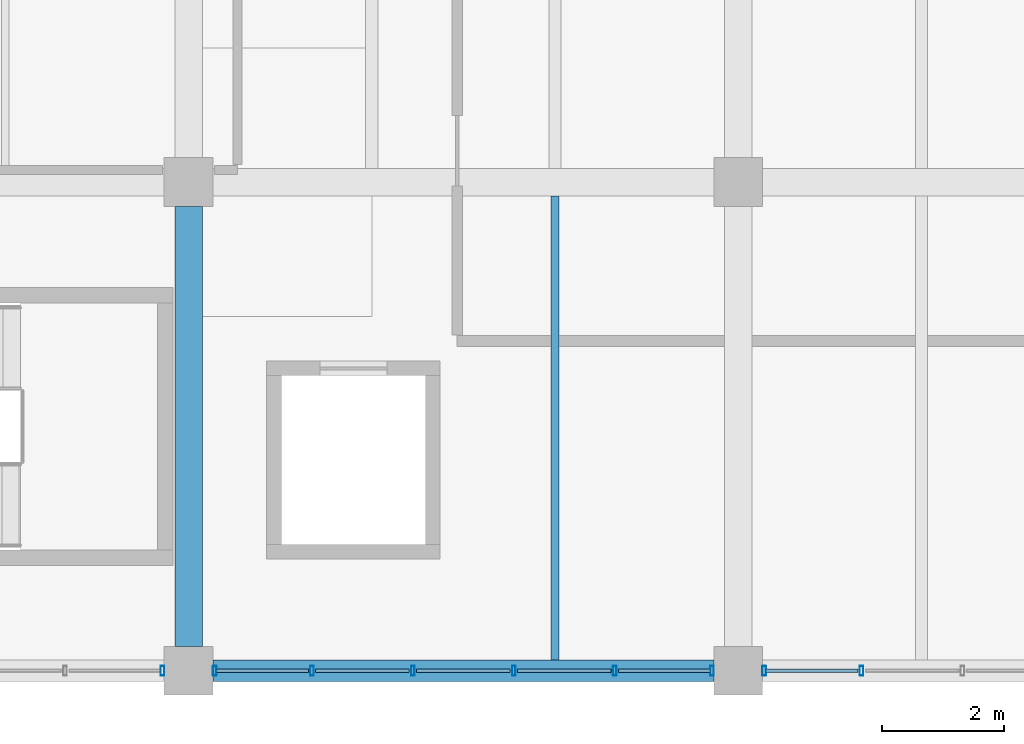
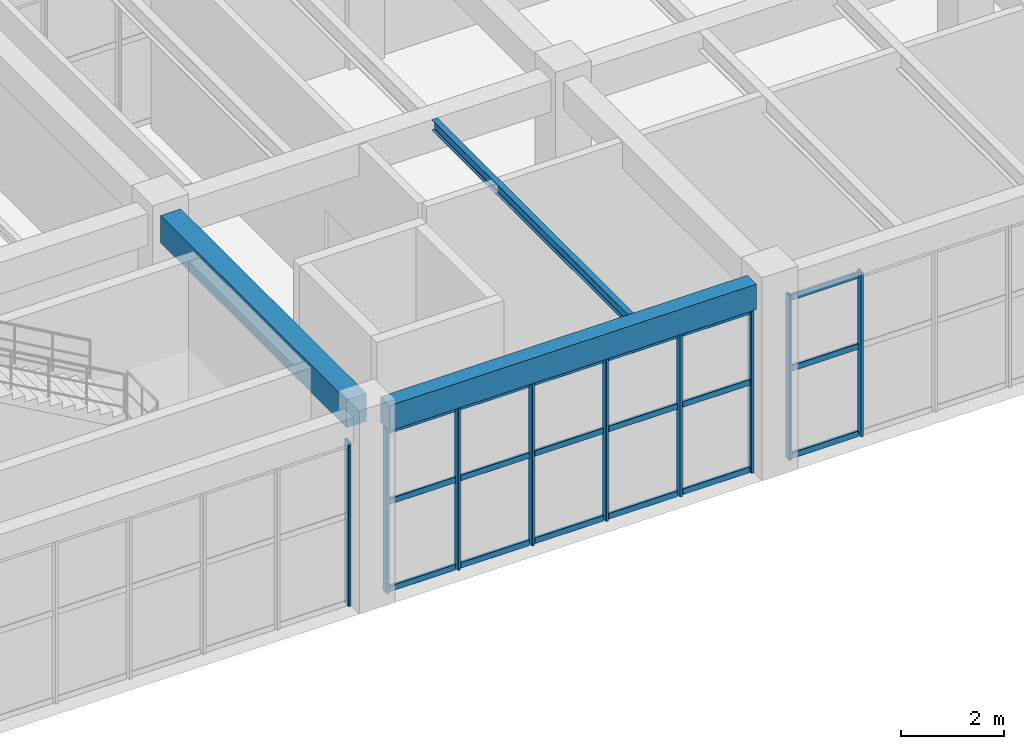
# One storey, part 15 of 178: 27 members, 3 beams, 3 elements without a shape of their own.
"""IFC4 building model written with IfcOpenShell, lengths in metres."""

from ifc_helpers import new_model, si_unit, derived_unit, direction, frame, origin, origin_2d, place, context, subcontext, project, spatial, rectangle, hollow_rectangle, i_section, extrude, material, material_profile, profile_set, type_object, element, aggregate, save


model = new_model("IFC4")

# Units and contexts
model_context = context("Model", 3, precision=1e-05, world=origin(), true_north=direction((0.0, 1.0)))
body_context = subcontext(model_context, "Body", "Model", "MODEL_VIEW")
ifc_project = project(units=[si_unit("LENGTHUNIT", "METRE"), si_unit("AREAUNIT", "SQUARE_METRE"), si_unit("VOLUMEUNIT", "CUBIC_METRE"), si_unit("PLANEANGLEUNIT", "RADIAN"), si_unit("MASSUNIT", "GRAM", prefix="KILO"), derived_unit("THERMALTRANSMITTANCEUNIT", [(si_unit("MASSUNIT", "GRAM", prefix="KILO"), 1), (si_unit("TIMEUNIT", "SECOND"), -3), (si_unit("THERMODYNAMICTEMPERATUREUNIT", "KELVIN"), -1)])], contexts=[model_context])

# Site, building, storey
site_placement = place(None, origin())
site = spatial("IfcSite", under=ifc_project, at=site_placement, CompositionType="ELEMENT")
building_placement = place(site_placement, origin())
building = spatial("IfcBuilding", under=site, at=building_placement, Name="Zhenchuan Archway Interchange", CompositionType="ELEMENT")
storey_placement = place(building_placement, frame((0.0, 0.0, 5.39990234375)))
storey = spatial("IfcBuildingStorey", under=building, at=storey_placement, Name="L01", CompositionType="ELEMENT", Elevation=5.39990234375)

# Beam
ifc_material_1 = material(Name="Concrete C40", Category="concrete")
ifc_material_profile_1 = material_profile(ifc_material_1, rectangle(XDim=0.449951171875, YDim=0.64990234375, at=origin_2d()), Name="RC 450x650")
ifc_profile_set_1 = profile_set([ifc_material_profile_1], Name="Concrete C40")
beam_type_1 = type_object("IfcBeamType", Name="BM_RC_450x650", PredefinedType="BEAM", material=ifc_profile_set_1)
beam_1_placement = place(storey_placement, frame((18.0, 0.39990234375, 4.18505859375), z_axis=(0.0, 1.0, 0.0), x_axis=(-1.0, 0.0, 0.0)))
element("IfcBeam", 1, at=beam_1_placement, inside=storey, type_object=beam_type_1, Name="Beam 3:A-B (L01)", PredefinedType="BEAM", context=body_context, shape_type="SweptSolid", body=[
    extrude(rectangle(XDim=0.449951171875, YDim=0.64990234375, at=origin_2d()), origin(), (0.0, 0.0, 1.0), 7.2001953125),
])

# Curtain wall, members
ifc_material_2 = material(Name="Anodised Aluminium", Category="aluminium")
curtain_wall_type_1 = type_object("IfcCurtainWallType", Name="CW_UNIT_4", PredefinedType="NOTDEFINED", material=ifc_material_2)
curtain_wall_1_placement = place(storey_placement, origin())
curtain_wall_1 = element("IfcCurtainWall", 2, at=curtain_wall_1_placement, inside=storey, type_object=curtain_wall_type_1, Name="Unitised curtain wall CW:L01:083", PredefinedType="NOTDEFINED")
ifc_material_profile_2 = material_profile(ifc_material_2, hollow_rectangle(XDim=0.06005859375, YDim=0.159912109375, WallThickness=0.00390625, InnerFilletRadius=0.00390625, OuterFilletRadius=0.008056640625, at=origin_2d()), Name="ALU 160x60x4")
ifc_profile_set_2 = profile_set([ifc_material_profile_2], Name="Anodised Aluminium")
member_type_1 = type_object("IfcMemberType", Name="CW_MUL_150", PredefinedType="MULLION", material=ifc_profile_set_2)
member_1_placement = place(storey_placement, frame((29.020751953125, 0.0, 0.0), z_axis=(0.0, 0.0, 1.0), x_axis=(1.0, 0.0, 0.0)))
member_1 = element("IfcMember", 3, at=member_1_placement, type_object=member_type_1, Name="CW:L01:083 mullion 4", PredefinedType="MULLION", context=body_context, shape_type="SweptSolid", body=[
    extrude(hollow_rectangle(XDim=0.06005859375, YDim=0.159912109375, WallThickness=0.00390625, InnerFilletRadius=0.00390625, OuterFilletRadius=0.008056640625, at=origin_2d()), origin(), (0.0, 0.0, 1.0), 3.880126953125),
])
member_2_placement = place(storey_placement, frame((27.427978515625, 0.0, 0.0), z_axis=(0.0, 0.0, 1.0), x_axis=(1.0, 0.0, 0.0)))
member_2 = element("IfcMember", 4, at=member_2_placement, type_object=member_type_1, Name="CW:L01:083 mullion 5", PredefinedType="MULLION", context=body_context, shape_type="SweptSolid", body=[
    extrude(hollow_rectangle(XDim=0.06005859375, YDim=0.159912109375, WallThickness=0.00390625, InnerFilletRadius=0.00390625, OuterFilletRadius=0.008056640625, at=origin_2d()), origin(), (0.0, 0.0, 1.0), 3.880126953125),
])

curtain_wall_type_2 = type_object("IfcCurtainWallType", Name="CW_UNIT_1", PredefinedType="NOTDEFINED", material=ifc_material_2)
curtain_wall_2_placement = place(storey_placement, origin())
curtain_wall_2 = element("IfcCurtainWall", 5, at=curtain_wall_2_placement, inside=storey, type_object=curtain_wall_type_2, Name="Unitised curtain wall CW:L01:084", PredefinedType="NOTDEFINED")
member_3_placement = place(storey_placement, frame((26.572021484375, 0.0, 0.0), z_axis=(0.0, 0.0, 1.0), x_axis=(1.0, 0.0, 0.0)))
member_3 = element("IfcMember", 6, at=member_3_placement, type_object=member_type_1, Name="CW:L01:084 mullion 0", PredefinedType="MULLION", context=body_context, shape_type="SweptSolid", body=[
    extrude(hollow_rectangle(XDim=0.06005859375, YDim=0.159912109375, WallThickness=0.00390625, InnerFilletRadius=0.00390625, OuterFilletRadius=0.008056640625, at=origin_2d()), origin(), (0.0, 0.0, 1.0), 3.880126953125),
])
member_4_placement = place(storey_placement, frame((24.979248046875, 0.0, 0.0), z_axis=(0.0, 0.0, 1.0), x_axis=(1.0, 0.0, 0.0)))
member_4 = element("IfcMember", 7, at=member_4_placement, type_object=member_type_1, Name="CW:L01:084 mullion 1", PredefinedType="MULLION", context=body_context, shape_type="SweptSolid", body=[
    extrude(hollow_rectangle(XDim=0.06005859375, YDim=0.159912109375, WallThickness=0.00390625, InnerFilletRadius=0.00390625, OuterFilletRadius=0.008056640625, at=origin_2d()), origin(), (0.0, 0.0, 1.0), 3.880126953125),
])
member_5_placement = place(storey_placement, frame((23.326416015625, 0.0, 0.0), z_axis=(0.0, 0.0, 1.0), x_axis=(1.0, 0.0, 0.0)))
member_5 = element("IfcMember", 8, at=member_5_placement, type_object=member_type_1, Name="CW:L01:084 mullion 2", PredefinedType="MULLION", context=body_context, shape_type="SweptSolid", body=[
    extrude(hollow_rectangle(XDim=0.06005859375, YDim=0.159912109375, WallThickness=0.00390625, InnerFilletRadius=0.00390625, OuterFilletRadius=0.008056640625, at=origin_2d()), origin(), (0.0, 0.0, 1.0), 3.880126953125),
])
member_6_placement = place(storey_placement, frame((21.673583984375, 0.0, 0.0), z_axis=(0.0, 0.0, 1.0), x_axis=(1.0, 0.0, 0.0)))
member_6 = element("IfcMember", 9, at=member_6_placement, type_object=member_type_1, Name="CW:L01:084 mullion 3", PredefinedType="MULLION", context=body_context, shape_type="SweptSolid", body=[
    extrude(hollow_rectangle(XDim=0.06005859375, YDim=0.159912109375, WallThickness=0.00390625, InnerFilletRadius=0.00390625, OuterFilletRadius=0.008056640625, at=origin_2d()), origin(), (0.0, 0.0, 1.0), 3.880126953125),
])
member_7_placement = place(storey_placement, frame((20.020751953125, 0.0, 0.0), z_axis=(0.0, 0.0, 1.0), x_axis=(1.0, 0.0, 0.0)))
member_7 = element("IfcMember", 10, at=member_7_placement, type_object=member_type_1, Name="CW:L01:084 mullion 4", PredefinedType="MULLION", context=body_context, shape_type="SweptSolid", body=[
    extrude(hollow_rectangle(XDim=0.06005859375, YDim=0.159912109375, WallThickness=0.00390625, InnerFilletRadius=0.00390625, OuterFilletRadius=0.008056640625, at=origin_2d()), origin(), (0.0, 0.0, 1.0), 3.880126953125),
])
member_8_placement = place(storey_placement, frame((18.427978515625, 0.0, 0.0), z_axis=(0.0, 0.0, 1.0), x_axis=(1.0, 0.0, 0.0)))
member_8 = element("IfcMember", 11, at=member_8_placement, type_object=member_type_1, Name="CW:L01:084 mullion 5", PredefinedType="MULLION", context=body_context, shape_type="SweptSolid", body=[
    extrude(hollow_rectangle(XDim=0.06005859375, YDim=0.159912109375, WallThickness=0.00390625, InnerFilletRadius=0.00390625, OuterFilletRadius=0.008056640625, at=origin_2d()), origin(), (0.0, 0.0, 1.0), 3.880126953125),
])

# Curtain wall, member
curtain_wall_type_3 = type_object("IfcCurtainWallType", Name="CW_UNIT_2", PredefinedType="NOTDEFINED", material=ifc_material_2)
curtain_wall_3_placement = place(storey_placement, origin())
curtain_wall_3 = element("IfcCurtainWall", 12, at=curtain_wall_3_placement, inside=storey, type_object=curtain_wall_type_3, Name="Unitised curtain wall CW:L01:085", PredefinedType="NOTDEFINED")
member_9_placement = place(storey_placement, frame((17.572021484375, 0.0, 0.0), z_axis=(0.0, 0.0, 1.0), x_axis=(1.0, 0.0, 0.0)))
member_9 = element("IfcMember", 13, at=member_9_placement, type_object=member_type_1, Name="CW:L01:085 mullion 0", PredefinedType="MULLION", context=body_context, shape_type="SweptSolid", body=[
    extrude(hollow_rectangle(XDim=0.06005859375, YDim=0.159912109375, WallThickness=0.00390625, InnerFilletRadius=0.00390625, OuterFilletRadius=0.008056640625, at=origin_2d()), origin(), (0.0, 0.0, 1.0), 3.880126953125),
])
aggregate(curtain_wall_3, [member_9])

# Member
ifc_material_profile_3 = material_profile(ifc_material_2, hollow_rectangle(XDim=0.06005859375, YDim=0.139892578125, WallThickness=0.00341796875, InnerFilletRadius=0.00341796875, OuterFilletRadius=0.007080078125, at=origin_2d()), Name="ALU 140x60x3.5")
ifc_profile_set_3 = profile_set([ifc_material_profile_3], Name="Anodised Aluminium")
member_type_2 = type_object("IfcMemberType", Name="CW_TRN_140", PredefinedType="USERDEFINED", material=ifc_profile_set_3)
member_10_placement = place(storey_placement, frame((28.960693359375, 0.0, 0.06005859375), z_axis=(-1.0, 0.0, 0.0), x_axis=(0.0, -1.0, 0.0)))
member_10 = element("IfcMember", 14, at=member_10_placement, type_object=member_type_2, Name="CW:L01:083 transom 4-1", ObjectType="TRANSOM", PredefinedType="USERDEFINED", context=body_context, shape_type="SweptSolid", body=[
    extrude(hollow_rectangle(XDim=0.06005859375, YDim=0.139892578125, WallThickness=0.00341796875, InnerFilletRadius=0.00341796875, OuterFilletRadius=0.007080078125, at=origin_2d()), origin(), (0.0, 0.0, 1.0), 1.5126953125),
])

member_11_placement = place(storey_placement, frame((28.960693359375, 0.0, 2.123046875), z_axis=(-1.0, 0.0, 0.0), x_axis=(0.0, -1.0, 0.0)))
member_11 = element("IfcMember", 15, at=member_11_placement, type_object=member_type_2, Name="CW:L01:083 transom 4-2", ObjectType="TRANSOM", PredefinedType="USERDEFINED", context=body_context, shape_type="SweptSolid", body=[
    extrude(hollow_rectangle(XDim=0.06005859375, YDim=0.139892578125, WallThickness=0.00341796875, InnerFilletRadius=0.00341796875, OuterFilletRadius=0.007080078125, at=origin_2d()), origin(), (0.0, 0.0, 1.0), 1.5126953125),
])

member_12_placement = place(storey_placement, frame((28.960693359375, 0.0, 3.800048828125), z_axis=(-1.0, 0.0, 0.0), x_axis=(0.0, -1.0, 0.0)))
member_12 = element("IfcMember", 16, at=member_12_placement, type_object=member_type_2, Name="CW:L01:083 transom 4-3", ObjectType="TRANSOM", PredefinedType="USERDEFINED", context=body_context, shape_type="SweptSolid", body=[
    extrude(hollow_rectangle(XDim=0.06005859375, YDim=0.139892578125, WallThickness=0.00341796875, InnerFilletRadius=0.00341796875, OuterFilletRadius=0.007080078125, at=origin_2d()), origin(), (0.0, 0.0, 1.0), 1.5126953125),
])

aggregate(curtain_wall_1, [member_1, member_2, member_10, member_11, member_12])

member_13_placement = place(storey_placement, frame((26.552001953125, 0.0, 0.06005859375), z_axis=(-1.0, 0.0, 0.0), x_axis=(0.0, -1.0, 0.0)))
member_13 = element("IfcMember", 17, at=member_13_placement, type_object=member_type_2, Name="CW:L01:084 transom 0-1", ObjectType="TRANSOM", PredefinedType="USERDEFINED", context=body_context, shape_type="SweptSolid", body=[
    extrude(hollow_rectangle(XDim=0.06005859375, YDim=0.139892578125, WallThickness=0.00341796875, InnerFilletRadius=0.00341796875, OuterFilletRadius=0.007080078125, at=origin_2d()), origin(), (0.0, 0.0, 1.0), 1.5126953125),
])

member_14_placement = place(storey_placement, frame((26.552001953125, 0.0, 2.123046875), z_axis=(-1.0, 0.0, 0.0), x_axis=(0.0, -1.0, 0.0)))
member_14 = element("IfcMember", 18, at=member_14_placement, type_object=member_type_2, Name="CW:L01:084 transom 0-2", ObjectType="TRANSOM", PredefinedType="USERDEFINED", context=body_context, shape_type="SweptSolid", body=[
    extrude(hollow_rectangle(XDim=0.06005859375, YDim=0.139892578125, WallThickness=0.00341796875, InnerFilletRadius=0.00341796875, OuterFilletRadius=0.007080078125, at=origin_2d()), origin(), (0.0, 0.0, 1.0), 1.5126953125),
])

member_15_placement = place(storey_placement, frame((26.552001953125, 0.0, 3.800048828125), z_axis=(-1.0, 0.0, 0.0), x_axis=(0.0, -1.0, 0.0)))
member_15 = element("IfcMember", 19, at=member_15_placement, type_object=member_type_2, Name="CW:L01:084 transom 0-3", ObjectType="TRANSOM", PredefinedType="USERDEFINED", context=body_context, shape_type="SweptSolid", body=[
    extrude(hollow_rectangle(XDim=0.06005859375, YDim=0.139892578125, WallThickness=0.00341796875, InnerFilletRadius=0.00341796875, OuterFilletRadius=0.007080078125, at=origin_2d()), origin(), (0.0, 0.0, 1.0), 1.5126953125),
])

member_16_placement = place(storey_placement, frame((24.919189453125, 0.0, 0.06005859375), z_axis=(-1.0, 0.0, 0.0), x_axis=(0.0, -1.0, 0.0)))
member_16 = element("IfcMember", 20, at=member_16_placement, type_object=member_type_2, Name="CW:L01:084 transom 1-1", ObjectType="TRANSOM", PredefinedType="USERDEFINED", context=body_context, shape_type="SweptSolid", body=[
    extrude(hollow_rectangle(XDim=0.06005859375, YDim=0.139892578125, WallThickness=0.00341796875, InnerFilletRadius=0.00341796875, OuterFilletRadius=0.007080078125, at=origin_2d()), origin(), (0.0, 0.0, 1.0), 1.53271484375),
])

member_17_placement = place(storey_placement, frame((24.919189453125, 0.0, 2.123046875), z_axis=(-1.0, 0.0, 0.0), x_axis=(0.0, -1.0, 0.0)))
member_17 = element("IfcMember", 21, at=member_17_placement, type_object=member_type_2, Name="CW:L01:084 transom 1-2", ObjectType="TRANSOM", PredefinedType="USERDEFINED", context=body_context, shape_type="SweptSolid", body=[
    extrude(hollow_rectangle(XDim=0.06005859375, YDim=0.139892578125, WallThickness=0.00341796875, InnerFilletRadius=0.00341796875, OuterFilletRadius=0.007080078125, at=origin_2d()), origin(), (0.0, 0.0, 1.0), 1.53271484375),
])

member_18_placement = place(storey_placement, frame((24.919189453125, 0.0, 3.800048828125), z_axis=(-1.0, 0.0, 0.0), x_axis=(0.0, -1.0, 0.0)))
member_18 = element("IfcMember", 22, at=member_18_placement, type_object=member_type_2, Name="CW:L01:084 transom 1-3", ObjectType="TRANSOM", PredefinedType="USERDEFINED", context=body_context, shape_type="SweptSolid", body=[
    extrude(hollow_rectangle(XDim=0.06005859375, YDim=0.139892578125, WallThickness=0.00341796875, InnerFilletRadius=0.00341796875, OuterFilletRadius=0.007080078125, at=origin_2d()), origin(), (0.0, 0.0, 1.0), 1.53271484375),
])

member_19_placement = place(storey_placement, frame((23.266357421875, 0.0, 0.06005859375), z_axis=(-1.0, 0.0, 0.0), x_axis=(0.0, -1.0, 0.0)))
member_19 = element("IfcMember", 23, at=member_19_placement, type_object=member_type_2, Name="CW:L01:084 transom 2-1", ObjectType="TRANSOM", PredefinedType="USERDEFINED", context=body_context, shape_type="SweptSolid", body=[
    extrude(hollow_rectangle(XDim=0.06005859375, YDim=0.139892578125, WallThickness=0.00341796875, InnerFilletRadius=0.00341796875, OuterFilletRadius=0.007080078125, at=origin_2d()), origin(), (0.0, 0.0, 1.0), 1.53271484375),
])

member_20_placement = place(storey_placement, frame((23.266357421875, 0.0, 2.123046875), z_axis=(-1.0, 0.0, 0.0), x_axis=(0.0, -1.0, 0.0)))
member_20 = element("IfcMember", 24, at=member_20_placement, type_object=member_type_2, Name="CW:L01:084 transom 2-2", ObjectType="TRANSOM", PredefinedType="USERDEFINED", context=body_context, shape_type="SweptSolid", body=[
    extrude(hollow_rectangle(XDim=0.06005859375, YDim=0.139892578125, WallThickness=0.00341796875, InnerFilletRadius=0.00341796875, OuterFilletRadius=0.007080078125, at=origin_2d()), origin(), (0.0, 0.0, 1.0), 1.53271484375),
])

member_21_placement = place(storey_placement, frame((23.266357421875, 0.0, 3.800048828125), z_axis=(-1.0, 0.0, 0.0), x_axis=(0.0, -1.0, 0.0)))
member_21 = element("IfcMember", 25, at=member_21_placement, type_object=member_type_2, Name="CW:L01:084 transom 2-3", ObjectType="TRANSOM", PredefinedType="USERDEFINED", context=body_context, shape_type="SweptSolid", body=[
    extrude(hollow_rectangle(XDim=0.06005859375, YDim=0.139892578125, WallThickness=0.00341796875, InnerFilletRadius=0.00341796875, OuterFilletRadius=0.007080078125, at=origin_2d()), origin(), (0.0, 0.0, 1.0), 1.53271484375),
])

member_22_placement = place(storey_placement, frame((21.613525390625, 0.0, 0.06005859375), z_axis=(-1.0, 0.0, 0.0), x_axis=(0.0, -1.0, 0.0)))
member_22 = element("IfcMember", 26, at=member_22_placement, type_object=member_type_2, Name="CW:L01:084 transom 3-1", ObjectType="TRANSOM", PredefinedType="USERDEFINED", context=body_context, shape_type="SweptSolid", body=[
    extrude(hollow_rectangle(XDim=0.06005859375, YDim=0.139892578125, WallThickness=0.00341796875, InnerFilletRadius=0.00341796875, OuterFilletRadius=0.007080078125, at=origin_2d()), origin(), (0.0, 0.0, 1.0), 1.53271484375),
])

member_23_placement = place(storey_placement, frame((21.613525390625, 0.0, 2.123046875), z_axis=(-1.0, 0.0, 0.0), x_axis=(0.0, -1.0, 0.0)))
member_23 = element("IfcMember", 27, at=member_23_placement, type_object=member_type_2, Name="CW:L01:084 transom 3-2", ObjectType="TRANSOM", PredefinedType="USERDEFINED", context=body_context, shape_type="SweptSolid", body=[
    extrude(hollow_rectangle(XDim=0.06005859375, YDim=0.139892578125, WallThickness=0.00341796875, InnerFilletRadius=0.00341796875, OuterFilletRadius=0.007080078125, at=origin_2d()), origin(), (0.0, 0.0, 1.0), 1.53271484375),
])

member_24_placement = place(storey_placement, frame((21.613525390625, 0.0, 3.800048828125), z_axis=(-1.0, 0.0, 0.0), x_axis=(0.0, -1.0, 0.0)))
member_24 = element("IfcMember", 28, at=member_24_placement, type_object=member_type_2, Name="CW:L01:084 transom 3-3", ObjectType="TRANSOM", PredefinedType="USERDEFINED", context=body_context, shape_type="SweptSolid", body=[
    extrude(hollow_rectangle(XDim=0.06005859375, YDim=0.139892578125, WallThickness=0.00341796875, InnerFilletRadius=0.00341796875, OuterFilletRadius=0.007080078125, at=origin_2d()), origin(), (0.0, 0.0, 1.0), 1.53271484375),
])

member_25_placement = place(storey_placement, frame((19.960693359375, 0.0, 0.06005859375), z_axis=(-1.0, 0.0, 0.0), x_axis=(0.0, -1.0, 0.0)))
member_25 = element("IfcMember", 29, at=member_25_placement, type_object=member_type_2, Name="CW:L01:084 transom 4-1", ObjectType="TRANSOM", PredefinedType="USERDEFINED", context=body_context, shape_type="SweptSolid", body=[
    extrude(hollow_rectangle(XDim=0.06005859375, YDim=0.139892578125, WallThickness=0.00341796875, InnerFilletRadius=0.00341796875, OuterFilletRadius=0.007080078125, at=origin_2d()), origin(), (0.0, 0.0, 1.0), 1.5126953125),
])

member_26_placement = place(storey_placement, frame((19.960693359375, 0.0, 2.123046875), z_axis=(-1.0, 0.0, 0.0), x_axis=(0.0, -1.0, 0.0)))
member_26 = element("IfcMember", 30, at=member_26_placement, type_object=member_type_2, Name="CW:L01:084 transom 4-2", ObjectType="TRANSOM", PredefinedType="USERDEFINED", context=body_context, shape_type="SweptSolid", body=[
    extrude(hollow_rectangle(XDim=0.06005859375, YDim=0.139892578125, WallThickness=0.00341796875, InnerFilletRadius=0.00341796875, OuterFilletRadius=0.007080078125, at=origin_2d()), origin(), (0.0, 0.0, 1.0), 1.5126953125),
])

member_27_placement = place(storey_placement, frame((19.960693359375, 0.0, 3.800048828125), z_axis=(-1.0, 0.0, 0.0), x_axis=(0.0, -1.0, 0.0)))
member_27 = element("IfcMember", 31, at=member_27_placement, type_object=member_type_2, Name="CW:L01:084 transom 4-3", ObjectType="TRANSOM", PredefinedType="USERDEFINED", context=body_context, shape_type="SweptSolid", body=[
    extrude(hollow_rectangle(XDim=0.06005859375, YDim=0.139892578125, WallThickness=0.00341796875, InnerFilletRadius=0.00341796875, OuterFilletRadius=0.007080078125, at=origin_2d()), origin(), (0.0, 0.0, 1.0), 1.5126953125),
])

aggregate(curtain_wall_2, [member_3, member_4, member_5, member_6, member_7, member_8, member_13, member_14, member_15, member_16, member_17, member_18, member_19, member_20, member_21, member_22, member_23, member_24, member_25, member_26, member_27])

# Beams
ifc_material_3 = material(Name="Steel Q355", Category="steel")
ifc_material_profile_4 = material_profile(ifc_material_3, i_section(OverallWidth=0.125, OverallDepth=0.25, WebThickness=0.006103515625, FlangeThickness=0.009033203125, FilletRadius=0.011962890625, at=origin_2d()), Name="HN 250x125")
ifc_profile_set_4 = profile_set([ifc_material_profile_4], Name="Steel Q355")
beam_type_2 = type_object("IfcBeamType", Name="JST_STL_HN250", PredefinedType="JOIST", material=ifc_profile_set_4)
beam_2_placement = place(storey_placement, frame((24.0, 0.175048828125, 4.385009765625), z_axis=(0.0, 1.0, 0.0), x_axis=(-1.0, 0.0, 0.0)))
element("IfcBeam", 32, at=beam_2_placement, inside=storey, type_object=beam_type_2, Name="Secondary joist 3-4/A-B #2 (L01)", PredefinedType="JOIST", context=body_context, shape_type="SweptSolid", body=[
    extrude(i_section(OverallWidth=0.125, OverallDepth=0.25, WebThickness=0.006103515625, FlangeThickness=0.009033203125, FilletRadius=0.011962890625, at=origin_2d()), origin(), (0.0, 0.0, 1.0), 7.599853515625),
])
ifc_material_profile_5 = material_profile(ifc_material_1, rectangle(XDim=0.35009765625, YDim=0.60009765625, at=origin_2d()), Name="RC 350x600")
ifc_profile_set_5 = profile_set([ifc_material_profile_5], Name="Concrete C40")
beam_type_3 = type_object("IfcBeamType", Name="SP_RC_350x600", PredefinedType="SPANDREL", material=ifc_profile_set_5)
beam_3_placement = place(storey_placement, frame((18.39990234375, 0.0, 4.210205078125), z_axis=(1.0, 0.0, 0.0), x_axis=(0.0, 1.0, 0.0)))
element("IfcBeam", 33, at=beam_3_placement, inside=storey, type_object=beam_type_3, Name="Beam A:3-4 (L01)", PredefinedType="SPANDREL", context=body_context, shape_type="SweptSolid", body=[
    extrude(rectangle(XDim=0.35009765625, YDim=0.60009765625, at=origin_2d()), origin(), (0.0, 0.0, 1.0), 8.2001953125),
])

save(model, "model.ifc")
